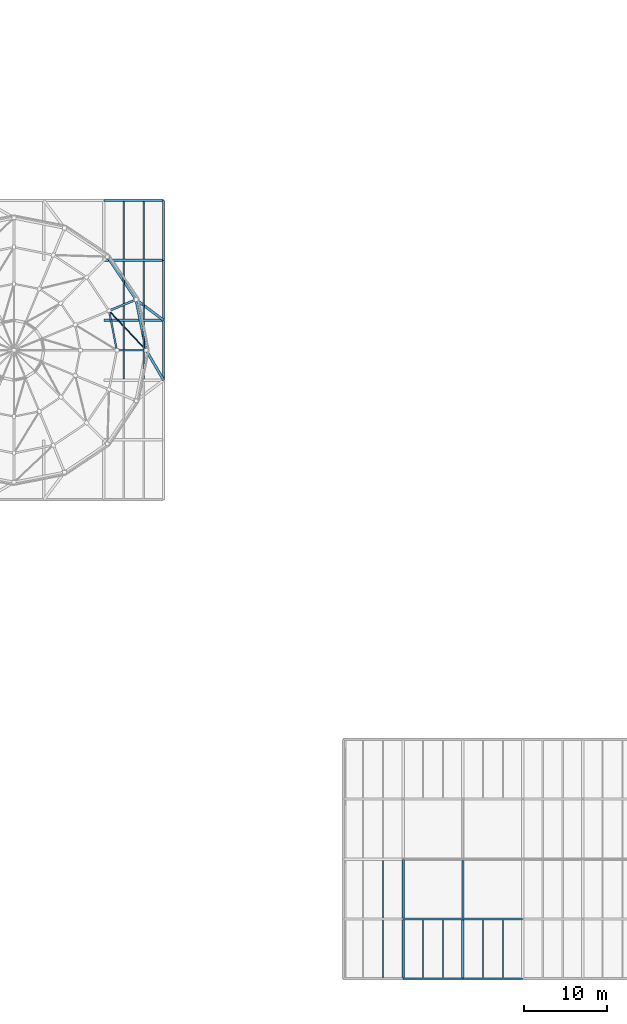
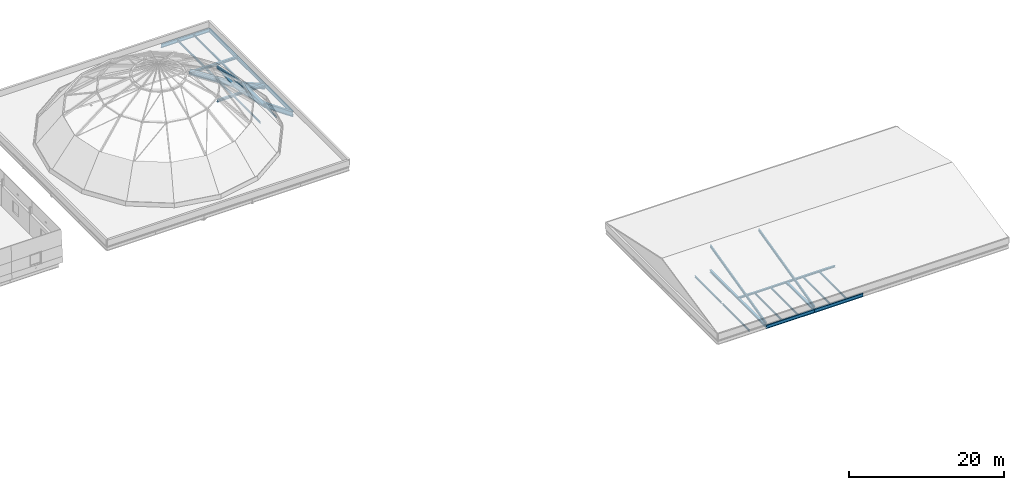
# One storey, part 16 of 66: 29 beams, 6 members.
"""IFC4 building model written with IfcOpenShell, lengths in metres."""

from ifc_helpers import new_model, si_unit, direction, frame, origin, origin_2d, place, context, subcontext, project, spatial, hollow_rectangle, hollow_circle, i_section, extrude, material, material_profile, profile_set, type_object, element, save


model = new_model("IFC4")

# Units and contexts
model_context = context("Model", 3, precision=1e-05, world=origin(), true_north=direction((0.0, 1.0)))
body_context = subcontext(model_context, "Body", "Model", "MODEL_VIEW")
ifc_project = project(units=[si_unit("LENGTHUNIT", "METRE"), si_unit("AREAUNIT", "SQUARE_METRE"), si_unit("VOLUMEUNIT", "CUBIC_METRE"), si_unit("PLANEANGLEUNIT", "RADIAN"), si_unit("MASSUNIT", "GRAM", prefix="KILO")], contexts=[model_context])

# Site, building, storey
site_placement = place(None, origin())
site = spatial("IfcSite", under=ifc_project, at=site_placement, CompositionType="ELEMENT")
building_placement = place(site_placement, origin())
building = spatial("IfcBuilding", under=site, at=building_placement, Name="Narikvali Park Central Library", CompositionType="ELEMENT")
storey_placement = place(building_placement, frame((0.0, 0.0, 18.60009765625)))
storey = spatial("IfcBuildingStorey", under=building, at=storey_placement, Name="L04", CompositionType="ELEMENT", Elevation=18.60009765625)

# Beams
ifc_material = material(Name="Steel S355", Category="steel")
ifc_material_profile_1 = material_profile(ifc_material, i_section(OverallWidth=0.300048828125, OverallDepth=0.800048828125, WebThickness=0.017578125, FlangeThickness=0.032958984375, FilletRadius=0.030029296875, at=origin_2d()), Name="HEB 800")
ifc_profile_set_1 = profile_set([ifc_material_profile_1], Name="Steel S355")
beam_type_1 = type_object("IfcBeamType", Name="Auditorium Long-Span Girder HEB800", PredefinedType="BEAM", material=ifc_profile_set_1)
beam_1_placement = place(storey_placement, frame((100.800048828125, 72.0, -0.650146484375), z_axis=(-0.503878309678, 0.863774651768, 0.0), x_axis=(-0.863774651768, -0.503878309678, 0.0)))
element("IfcBeam", 1, at=beam_1_placement, inside=storey, type_object=beam_type_1, Name="Dome Radial Ring Support Girder 01", PredefinedType="BEAM", context=body_context, shape_type="SweptSolid", body=[
    extrude(i_section(OverallWidth=0.300048828125, OverallDepth=0.800048828125, WebThickness=0.017578125, FlangeThickness=0.032958984375, FilletRadius=0.030029296875, at=origin_2d()), origin(), (0.0, 0.0, 1.0), 4.16796875),
])
beam_2_placement = place(storey_placement, frame((98.699951171875, 75.60009765625, -0.650146484375), z_axis=(-0.195071662037, 0.980788991919, 0.0), x_axis=(-0.980788991919, -0.195071662037, 0.0)))
element("IfcBeam", 2, at=beam_2_placement, inside=storey, type_object=beam_type_1, Name="Dome Tension Ring Beam Segment 01", PredefinedType="BEAM", context=body_context, shape_type="SweptSolid", body=[
    extrude(i_section(OverallWidth=0.300048828125, OverallDepth=0.800048828125, WebThickness=0.017578125, FlangeThickness=0.032958984375, FilletRadius=0.030029296875, at=origin_2d()), origin(), (0.0, 0.0, 1.0), 6.203857421875),
])
beam_3_placement = place(storey_placement, frame((100.800048828125, 79.199951171875, -0.650146484375), z_axis=(-0.799752202683, 0.600330254363, 0.0), x_axis=(-0.600330254363, -0.799752202683, 0.0)))
element("IfcBeam", 3, at=beam_3_placement, inside=storey, type_object=beam_type_1, Name="Dome Radial Ring Support Girder 02", PredefinedType="BEAM", context=body_context, shape_type="SweptSolid", body=[
    extrude(i_section(OverallWidth=0.300048828125, OverallDepth=0.800048828125, WebThickness=0.017578125, FlangeThickness=0.032958984375, FilletRadius=0.030029296875, at=origin_2d()), origin(), (0.0, 0.0, 1.0), 4.13916015625),
])
beam_4_placement = place(storey_placement, frame((97.48974609375, 81.684814453125, -0.650146484375), z_axis=(-0.555589868886, 0.831456491701, 0.0), x_axis=(-0.831456491701, -0.555589868886, 0.0)))
element("IfcBeam", 4, at=beam_4_placement, inside=storey, type_object=beam_type_1, Name="Dome Tension Ring Beam Segment 02", PredefinedType="BEAM", context=body_context, shape_type="SweptSolid", body=[
    extrude(i_section(OverallWidth=0.300048828125, OverallDepth=0.800048828125, WebThickness=0.017578125, FlangeThickness=0.032958984375, FilletRadius=0.030029296875, at=origin_2d()), origin(), (0.0, 0.0, 1.0), 6.203857421875),
])
ifc_material_profile_2 = material_profile(ifc_material, i_section(OverallWidth=0.135009765625, OverallDepth=0.27001953125, WebThickness=0.006591796875, FlangeThickness=0.01025390625, FilletRadius=0.014892578125, at=origin_2d()), Name="IPE 270")
ifc_profile_set_2 = profile_set([ifc_material_profile_2], Name="Steel S355")
beam_type_2 = type_object("IfcBeamType", Name="Composite Floor Joist IPE270", PredefinedType="JOIST", material=ifc_profile_set_2)
beam_5_placement = place(storey_placement, frame((127.199951171875, 0.10498046875, -0.375), z_axis=(0.0, 1.0, 0.0), x_axis=(-1.0, 0.0, 0.0)))
element("IfcBeam", 5, at=beam_5_placement, inside=storey, type_object=beam_type_2, Name="V6 L04 Composite Joist 2", PredefinedType="JOIST", context=body_context, shape_type="SweptSolid", body=[
    extrude(i_section(OverallWidth=0.135009765625, OverallDepth=0.27001953125, WebThickness=0.006591796875, FlangeThickness=0.01025390625, FilletRadius=0.014892578125, at=origin_2d()), origin(), (0.0, 0.0, 1.0), 6.965087890625),
])
beam_6_placement = place(storey_placement, frame((127.199951171875, 7.330078125, -0.375), z_axis=(0.0, 1.0, 0.0), x_axis=(-1.0, 0.0, 0.0)))
element("IfcBeam", 6, at=beam_6_placement, inside=storey, type_object=beam_type_2, Name="V6 L04 Composite Joist 2", PredefinedType="JOIST", context=body_context, shape_type="SweptSolid", body=[
    extrude(i_section(OverallWidth=0.135009765625, OverallDepth=0.27001953125, WebThickness=0.006591796875, FlangeThickness=0.01025390625, FilletRadius=0.014892578125, at=origin_2d()), origin(), (0.0, 0.0, 1.0), 6.919921875),
])
for number, where, z_axis, x_axis, name in (
    (7, (132.0, 0.10498046875, -0.375), (0.0, 1.0, 0.0), (-1.0, 0.0, 0.0), "V6 L04 Composite Joist 1"),
    (8, (134.39990234375, 0.10498046875, -0.375), (0.0, 1.0, 0.0), (-1.0, 0.0, 0.0), "V6 L04 Composite Joist 2"),
    (9, (139.199951171875, 0.10498046875, -0.375), (0.0, 1.0, 0.0), (-1.0, 0.0, 0.0), "V6 L04 Composite Joist 1"),
    (10, (141.60009765625, 0.10498046875, -0.375), (0.0, 1.0, 0.0), (-1.0, 0.0, 0.0), "V6 L04 Composite Joist 2"),
):
    element("IfcBeam", number, at=place(storey_placement, frame(where, z_axis=z_axis, x_axis=x_axis)), inside=storey, type_object=beam_type_2, Name=name, PredefinedType="JOIST", context=body_context, shape_type="SweptSolid", body=[
        extrude(i_section(OverallWidth=0.135009765625, OverallDepth=0.27001953125, WebThickness=0.006591796875, FlangeThickness=0.01025390625, FilletRadius=0.014892578125, at=origin_2d()), origin(), (0.0, 0.0, 1.0), 6.965087890625),
    ])
ifc_material_profile_3 = material_profile(ifc_material, i_section(OverallWidth=0.14990234375, OverallDepth=0.300048828125, WebThickness=0.007080078125, FlangeThickness=0.0107421875, FilletRadius=0.014892578125, at=origin_2d()), Name="IPE 300")
ifc_profile_set_3 = profile_set([ifc_material_profile_3], Name="Steel S355")
beam_type_3 = type_object("IfcBeamType", Name="Composite Floor Joist IPE300", PredefinedType="JOIST", material=ifc_profile_set_3)
for number, where, z_axis, x_axis, name in (
    (11, (96.0, 72.14990234375, -0.39013671875), (0.0, 1.0, 0.0), (-1.0, 0.0, 0.0), "V1 L04 Composite Joist 1"),
    (12, (98.39990234375, 72.14990234375, -0.39013671875), (0.0, 1.0, 0.0), (-1.0, 0.0, 0.0), "V1 L04 Composite Joist 2"),
):
    element("IfcBeam", number, at=place(storey_placement, frame(where, z_axis=z_axis, x_axis=x_axis)), inside=storey, type_object=beam_type_3, Name=name, PredefinedType="JOIST", context=body_context, shape_type="SweptSolid", body=[
        extrude(i_section(OverallWidth=0.14990234375, OverallDepth=0.300048828125, WebThickness=0.007080078125, FlangeThickness=0.0107421875, FilletRadius=0.014892578125, at=origin_2d()), origin(), (0.0, 0.0, 1.0), 6.900146484375),
    ])
for number, where, z_axis, x_axis, name in (
    (13, (96.0, 79.35009765625, -0.39013671875), (0.0, 1.0, 0.0), (-1.0, 0.0, 0.0), "V1 L04 Composite Joist 1"),
    (14, (98.39990234375, 79.35009765625, -0.39013671875), (0.0, 1.0, 0.0), (-1.0, 0.0, 0.0), "V1 L04 Composite Joist 2"),
):
    element("IfcBeam", number, at=place(storey_placement, frame(where, z_axis=z_axis, x_axis=x_axis)), inside=storey, type_object=beam_type_3, Name=name, PredefinedType="JOIST", context=body_context, shape_type="SweptSolid", body=[
        extrude(i_section(OverallWidth=0.14990234375, OverallDepth=0.300048828125, WebThickness=0.007080078125, FlangeThickness=0.0107421875, FilletRadius=0.014892578125, at=origin_2d()), origin(), (0.0, 0.0, 1.0), 6.89990234375),
    ])
for number, where, z_axis, x_axis, name in (
    (15, (96.0, 86.550048828125, -0.39013671875), (0.0, 1.0, 0.0), (-1.0, 0.0, 0.0), "V1 L04 Composite Joist 1"),
    (16, (98.39990234375, 86.550048828125, -0.39013671875), (0.0, 1.0, 0.0), (-1.0, 0.0, 0.0), "V1 L04 Composite Joist 2"),
):
    element("IfcBeam", number, at=place(storey_placement, frame(where, z_axis=z_axis, x_axis=x_axis)), inside=storey, type_object=beam_type_3, Name=name, PredefinedType="JOIST", context=body_context, shape_type="SweptSolid", body=[
        extrude(i_section(OverallWidth=0.14990234375, OverallDepth=0.300048828125, WebThickness=0.007080078125, FlangeThickness=0.0107421875, FilletRadius=0.014892578125, at=origin_2d()), origin(), (0.0, 0.0, 1.0), 6.945068359375),
    ])

# Members
ifc_material_profile_4 = material_profile(ifc_material, hollow_rectangle(XDim=0.25, YDim=0.35009765625, WallThickness=0.012451171875, at=origin_2d()), Name="RHS 350x250x12.5")
ifc_profile_set_4 = profile_set([ifc_material_profile_4], Name="Steel S355")
member_type_1 = type_object("IfcMemberType", Name="Dome Base Arch Rib RHS350x250", PredefinedType="STRUT", material=ifc_profile_set_4)
member_1_placement = place(storey_placement, frame((97.48974609375, 81.684814453125, -0.650146484375), z_axis=(-0.544143232852, -0.225402173927, 0.808147265126), x_axis=(0.382698890989, -0.923873129188, 0.0)))
element("IfcMember", 17, at=member_1_placement, inside=storey, type_object=member_type_1, Name="Main Reading Room Dome Meridional Rib T1-02", PredefinedType="STRUT", context=body_context, shape_type="SweptSolid", body=[
    extrude(hollow_rectangle(XDim=0.25, YDim=0.35009765625, WallThickness=0.012451171875, at=origin_2d()), origin(), (0.0, 0.0, 1.0), 5.976806640625),
])
ifc_material_profile_5 = material_profile(ifc_material, hollow_rectangle(XDim=0.199951171875, YDim=0.39990234375, WallThickness=0.01416015625, at=origin_2d()), Name="RHS 400x200x14.2")
ifc_profile_set_5 = profile_set([ifc_material_profile_5], Name="Steel S355")
member_type_2 = type_object("IfcMemberType", Name="Dome Cardinal Base Rib RHS400x200", PredefinedType="STRUT", material=ifc_profile_set_5)
member_2_placement = place(storey_placement, frame((98.699951171875, 75.60009765625, -0.650146484375), z_axis=(-0.588963227106, 0.0, 0.808159833892), x_axis=(0.0, -1.0, 0.0)))
element("IfcMember", 18, at=member_2_placement, inside=storey, type_object=member_type_2, Name="Main Reading Room Dome Meridional Rib T1-01", PredefinedType="STRUT", context=body_context, shape_type="SweptSolid", body=[
    extrude(hollow_rectangle(XDim=0.199951171875, YDim=0.39990234375, WallThickness=0.01416015625, at=origin_2d()), origin(), (0.0, 0.0, 1.0), 5.9765625),
])
ifc_material_profile_6 = material_profile(ifc_material, hollow_rectangle(XDim=0.199951171875, YDim=0.199951171875, WallThickness=0.012451171875, at=origin_2d()), Name="SHS 200x200x12.5")
ifc_profile_set_6 = profile_set([ifc_material_profile_6], Name="Steel S355")
member_type_3 = type_object("IfcMemberType", Name="Dome Hoop Ring Purlin SHS200x200", PredefinedType="PURLIN", material=ifc_profile_set_6)
member_3_placement = place(storey_placement, frame((95.179931640625, 75.60009765625, 4.179931640625), z_axis=(-0.195095451873, 0.980784259997, 0.0), x_axis=(-0.980784259997, -0.195095451873, 0.0)))
element("IfcMember", 19, at=member_3_placement, inside=storey, type_object=member_type_3, Name="Main Reading Room Dome Hoop Ring T1-01", PredefinedType="PURLIN", context=body_context, shape_type="SweptSolid", body=[
    extrude(hollow_rectangle(XDim=0.199951171875, YDim=0.199951171875, WallThickness=0.012451171875, at=origin_2d()), origin(), (0.0, 0.0, 1.0), 4.830322265625),
])
ifc_material_profile_7 = material_profile(ifc_material, hollow_circle(Radius=0.084228515625, WallThickness=0.010009765625, at=origin_2d()), Name="CHS 168.3x10")
ifc_profile_set_7 = profile_set([ifc_material_profile_7], Name="Steel S355")
member_type_4 = type_object("IfcMemberType", Name="Dome Lower Wind Brace CHS168x10", PredefinedType="BRACE", material=ifc_profile_set_7)
member_4_placement = place(storey_placement, frame((98.699951171875, 75.60009765625, -0.650146484375), z_axis=(-0.550590632964, 0.584539404347, 0.59595607192), x_axis=(-0.727929020226, -0.685652493259, 0.0)))
element("IfcMember", 20, at=member_4_placement, inside=storey, type_object=member_type_4, Name="Dome Wind Diagonal Brace T1-01", PredefinedType="BRACE", context=body_context, shape_type="SweptSolid", body=[
    extrude(hollow_circle(Radius=0.084228515625, WallThickness=0.010009765625, at=origin_2d()), origin(), (0.0, 0.0, 1.0), 8.104736328125),
])
ifc_material_profile_8 = material_profile(ifc_material, i_section(OverallWidth=0.179931640625, OverallDepth=0.39990234375, WebThickness=0.008544921875, FlangeThickness=0.013427734375, FilletRadius=0.02099609375, at=origin_2d()), Name="IPE 400")
ifc_profile_set_8 = profile_set([ifc_material_profile_8], Name="Steel S355")
member_type_5 = type_object("IfcMemberType", Name="Long-Span Pavilion Rafter IPE400", PredefinedType="RAFTER", material=ifc_profile_set_8)
for number, where, z_axis, x_axis, name in (
    (21, (129.60009765625, 0.0, 0.0), (0.0, 0.971709104345, 0.236180897899), (-1.0, 0.0, 0.0), "V6 Roof Rafter S 1"),
    (22, (136.800048828125, 0.0, 0.0), (0.0, 0.971709104345, 0.236180897899), (-1.0, 0.0, 0.0), "V6 Roof Rafter S 2"),
):
    element("IfcMember", number, at=place(storey_placement, frame(where, z_axis=z_axis, x_axis=x_axis)), inside=storey, type_object=member_type_5, Name=name, PredefinedType="RAFTER", context=body_context, shape_type="SweptSolid", body=[
        extrude(i_section(OverallWidth=0.179931640625, OverallDepth=0.39990234375, WebThickness=0.008544921875, FlangeThickness=0.013427734375, FilletRadius=0.02099609375, at=origin_2d()), origin(), (0.0, 0.0, 1.0), 14.819091796875),
    ])

# Beams
ifc_material_profile_9 = material_profile(ifc_material, i_section(OverallWidth=0.2099609375, OverallDepth=0.550048828125, WebThickness=0.010986328125, FlangeThickness=0.01708984375, FilletRadius=0.02392578125, at=origin_2d()), Name="IPE 550")
ifc_profile_set_9 = profile_set([ifc_material_profile_9], Name="Steel S355")
beam_type_4 = type_object("IfcBeamType", Name="Perimeter Spandrel IPE550", PredefinedType="SPANDREL", material=ifc_profile_set_9)
beam_7_placement = place(storey_placement, frame((93.60791015625, 93.60009765625, -0.51513671875), z_axis=(1.0, 0.0, 0.0), x_axis=(0.0, 1.0, 0.0)))
element("IfcBeam", 23, at=beam_7_placement, inside=storey, type_object=beam_type_4, Name="V1 L04 Girder X", PredefinedType="SPANDREL", context=body_context, shape_type="SweptSolid", body=[
    extrude(i_section(OverallWidth=0.2099609375, OverallDepth=0.550048828125, WebThickness=0.010986328125, FlangeThickness=0.01708984375, FilletRadius=0.02392578125, at=origin_2d()), origin(), (0.0, 0.0, 1.0), 7.18408203125),
])
beam_8_placement = place(storey_placement, frame((100.800048828125, 72.008056640625, -0.51513671875), z_axis=(0.0, 1.0, 0.0), x_axis=(-1.0, 0.0, 0.0)))
element("IfcBeam", 24, at=beam_8_placement, inside=storey, type_object=beam_type_4, Name="V1 L04 Girder Y", PredefinedType="SPANDREL", context=body_context, shape_type="SweptSolid", body=[
    extrude(i_section(OverallWidth=0.2099609375, OverallDepth=0.550048828125, WebThickness=0.010986328125, FlangeThickness=0.01708984375, FilletRadius=0.02392578125, at=origin_2d()), origin(), (0.0, 0.0, 1.0), 7.183837890625),
])
for number, where, z_axis, x_axis, name in (
    (25, (100.800048828125, 79.2080078125, -0.51513671875), (0.0, 1.0, 0.0), (-1.0, 0.0, 0.0), "V1 L04 Girder Y"),
    (26, (100.800048828125, 86.407958984375, -0.51513671875), (0.0, 1.0, 0.0), (-1.0, 0.0, 0.0), "V1 L04 Girder Y"),
    (27, (129.60791015625, 0.0, -0.51513671875), (1.0, 0.0, 0.0), (0.0, 1.0, 0.0), "V6 L04 Girder X"),
):
    element("IfcBeam", number, at=place(storey_placement, frame(where, z_axis=z_axis, x_axis=x_axis)), inside=storey, type_object=beam_type_4, Name=name, PredefinedType="SPANDREL", context=body_context, shape_type="SweptSolid", body=[
        extrude(i_section(OverallWidth=0.2099609375, OverallDepth=0.550048828125, WebThickness=0.010986328125, FlangeThickness=0.01708984375, FilletRadius=0.02392578125, at=origin_2d()), origin(), (0.0, 0.0, 1.0), 7.18408203125),
    ])
beam_9_placement = place(storey_placement, frame((136.80810546875, 0.0, -0.51513671875), z_axis=(1.0, 0.0, 0.0), x_axis=(0.0, 1.0, 0.0)))
element("IfcBeam", 28, at=beam_9_placement, inside=storey, type_object=beam_type_4, Name="V6 L04 Girder X", PredefinedType="SPANDREL", context=body_context, shape_type="SweptSolid", body=[
    extrude(i_section(OverallWidth=0.2099609375, OverallDepth=0.550048828125, WebThickness=0.010986328125, FlangeThickness=0.01708984375, FilletRadius=0.02392578125, at=origin_2d()), origin(), (0.0, 0.0, 1.0), 7.183837890625),
])
ifc_material_profile_10 = material_profile(ifc_material, i_section(OverallWidth=0.260009765625, OverallDepth=0.25, WebThickness=0.007568359375, FlangeThickness=0.012451171875, FilletRadius=0.02392578125, at=origin_2d()), Name="HEA 260")
ifc_profile_set_10 = profile_set([ifc_material_profile_10], Name="Steel S355")
beam_type_5 = type_object("IfcBeamType", Name="Primary Girder HEA260", PredefinedType="BEAM", material=ifc_profile_set_10)
beam_10_placement = place(storey_placement, frame((129.60791015625, 7.199951171875, -0.364990234375), z_axis=(1.0, 0.0, 0.0), x_axis=(0.0, 1.0, 0.0)))
element("IfcBeam", 29, at=beam_10_placement, inside=storey, type_object=beam_type_5, Name="V6 L04 Girder X", PredefinedType="BEAM", context=body_context, shape_type="SweptSolid", body=[
    extrude(i_section(OverallWidth=0.260009765625, OverallDepth=0.25, WebThickness=0.007568359375, FlangeThickness=0.012451171875, FilletRadius=0.02392578125, at=origin_2d()), origin(), (0.0, 0.0, 1.0), 7.18408203125),
])
beam_11_placement = place(storey_placement, frame((136.80810546875, 7.199951171875, -0.364990234375), z_axis=(1.0, 0.0, 0.0), x_axis=(0.0, 1.0, 0.0)))
element("IfcBeam", 30, at=beam_11_placement, inside=storey, type_object=beam_type_5, Name="V6 L04 Girder X", PredefinedType="BEAM", context=body_context, shape_type="SweptSolid", body=[
    extrude(i_section(OverallWidth=0.260009765625, OverallDepth=0.25, WebThickness=0.007568359375, FlangeThickness=0.012451171875, FilletRadius=0.02392578125, at=origin_2d()), origin(), (0.0, 0.0, 1.0), 7.183837890625),
])
ifc_material_profile_11 = material_profile(ifc_material, i_section(OverallWidth=0.300048828125, OverallDepth=0.35009765625, WebThickness=0.010009765625, FlangeThickness=0.017578125, FilletRadius=0.027099609375, at=origin_2d()), Name="HEA 360")
ifc_profile_set_11 = profile_set([ifc_material_profile_11], Name="Steel S355")
beam_type_6 = type_object("IfcBeamType", Name="Primary Girder HEA360", PredefinedType="BEAM", material=ifc_profile_set_11)
beam_12_placement = place(storey_placement, frame((129.60009765625, 0.008056640625, -0.4150390625), z_axis=(0.0, 1.0, 0.0), x_axis=(-1.0, 0.0, 0.0)))
element("IfcBeam", 31, at=beam_12_placement, inside=storey, type_object=beam_type_6, Name="V6 L04 Girder Y", PredefinedType="BEAM", context=body_context, shape_type="SweptSolid", body=[
    extrude(i_section(OverallWidth=0.300048828125, OverallDepth=0.35009765625, WebThickness=0.010009765625, FlangeThickness=0.017578125, FilletRadius=0.027099609375, at=origin_2d()), origin(), (0.0, 0.0, 1.0), 7.183837890625),
])
beam_13_placement = place(storey_placement, frame((129.60009765625, 7.2080078125, -0.4150390625), z_axis=(0.0, 1.0, 0.0), x_axis=(-1.0, 0.0, 0.0)))
element("IfcBeam", 32, at=beam_13_placement, inside=storey, type_object=beam_type_6, Name="V6 L04 Girder Y", PredefinedType="BEAM", context=body_context, shape_type="SweptSolid", body=[
    extrude(i_section(OverallWidth=0.300048828125, OverallDepth=0.35009765625, WebThickness=0.010009765625, FlangeThickness=0.017578125, FilletRadius=0.027099609375, at=origin_2d()), origin(), (0.0, 0.0, 1.0), 7.18408203125),
])
beam_14_placement = place(storey_placement, frame((136.800048828125, 0.008056640625, -0.4150390625), z_axis=(0.0, 1.0, 0.0), x_axis=(-1.0, 0.0, 0.0)))
element("IfcBeam", 33, at=beam_14_placement, inside=storey, type_object=beam_type_6, Name="V6 L04 Girder Y", PredefinedType="BEAM", context=body_context, shape_type="SweptSolid", body=[
    extrude(i_section(OverallWidth=0.300048828125, OverallDepth=0.35009765625, WebThickness=0.010009765625, FlangeThickness=0.017578125, FilletRadius=0.027099609375, at=origin_2d()), origin(), (0.0, 0.0, 1.0), 7.183837890625),
])
ifc_material_profile_12 = material_profile(ifc_material, i_section(OverallWidth=0.300048828125, OverallDepth=0.360107421875, WebThickness=0.012451171875, FlangeThickness=0.0224609375, FilletRadius=0.027099609375, at=origin_2d()), Name="HEB 360")
ifc_profile_set_12 = profile_set([ifc_material_profile_12], Name="Steel S355")
beam_type_7 = type_object("IfcBeamType", Name="Upper Gallery Girder HEB360", PredefinedType="BEAM", material=ifc_profile_set_12)
for number, where, z_axis, x_axis, name in (
    (34, (93.60791015625, 79.199951171875, -0.420166015625), (1.0, 0.0, 0.0), (0.0, 1.0, 0.0), "V1 L04 Girder X"),
    (35, (93.60791015625, 86.39990234375, -0.420166015625), (1.0, 0.0, 0.0), (0.0, 1.0, 0.0), "V1 L04 Girder X"),
):
    element("IfcBeam", number, at=place(storey_placement, frame(where, z_axis=z_axis, x_axis=x_axis)), inside=storey, type_object=beam_type_7, Name=name, PredefinedType="BEAM", context=body_context, shape_type="SweptSolid", body=[
        extrude(i_section(OverallWidth=0.300048828125, OverallDepth=0.360107421875, WebThickness=0.012451171875, FlangeThickness=0.0224609375, FilletRadius=0.027099609375, at=origin_2d()), origin(), (0.0, 0.0, 1.0), 7.18408203125),
    ])

save(model, "model.ifc")
